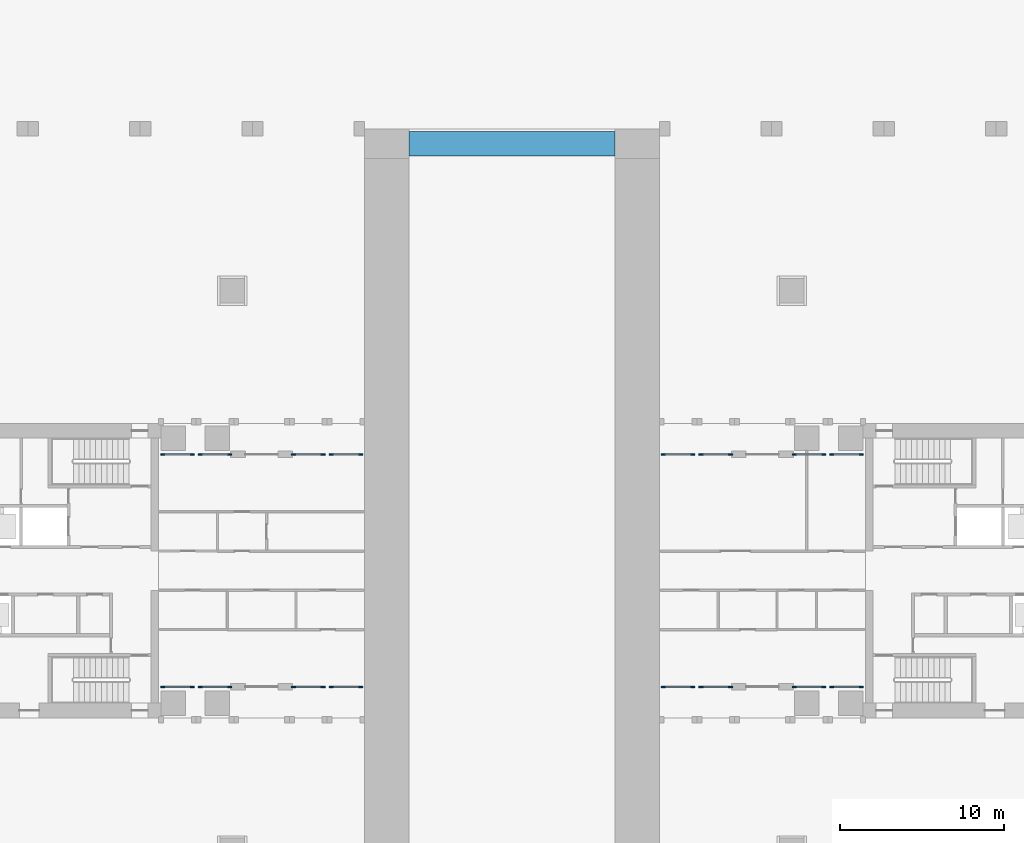
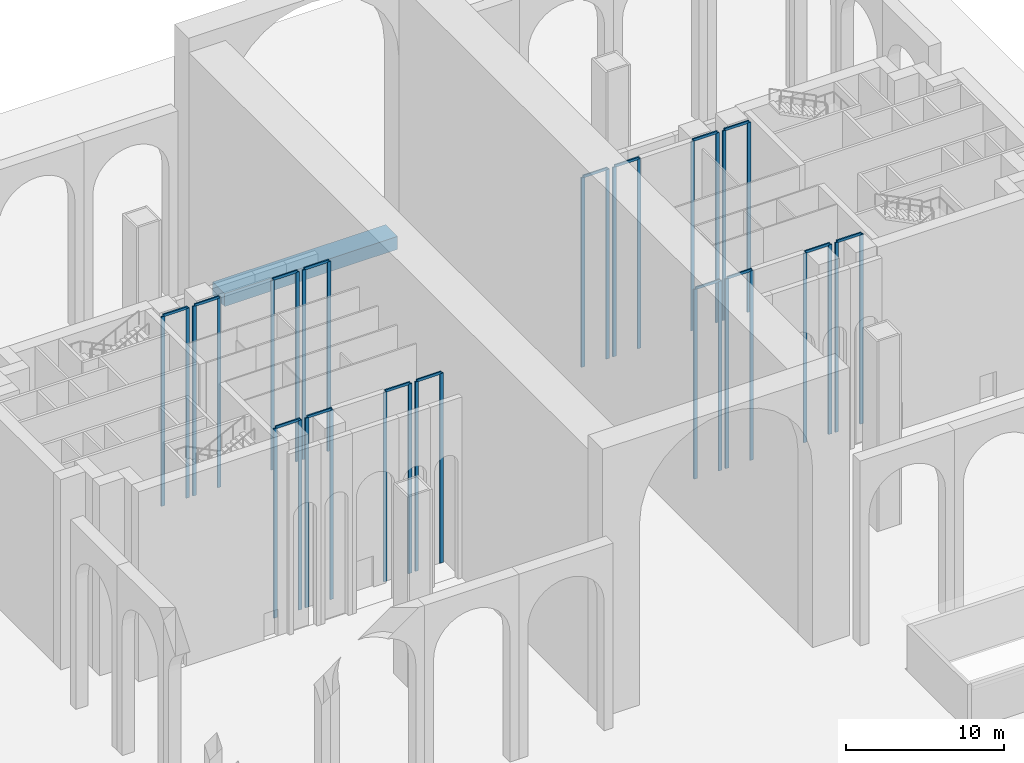
# One storey, part 2 of 18: 48 members, 1 beam, 16 elements without a shape of their own.
"""IFC4 building model written with IfcOpenShell, lengths in metres."""

import ifcopenshell
import ifcopenshell.guid

model = None  # the IFC model being written
_history = None  # IfcOwnerHistory: only IFC2X3 demands one
_inside = {}  # id of a spatial element -> (the spatial element, [elements in it])
_under = {}  # id of a project, library or spatial element -> (it, [spatial elements below it])
_declared = {}  # id of a project -> (the project, [libraries it declares])
_typed = {}  # id of a type object -> (the type object, [elements of that type])
_made_of = {}  # id of a material, layer set ... -> (it, [elements and type objects made of it])


def new_model(schema):
    """Start an empty IFC model of exactly this schema.

    Asked for "IFC4X3", IfcOpenShell would pick the latest addendum, in which some entities
    have other attributes; the version numbers below select the first issue.
    IFC2X3 requires an IfcOwnerHistory on every rooted entity: one is made here for all.
    """
    global model, _history
    if schema == "IFC4X3":
        model = ifcopenshell.file(schema_version=(4, 3, 0, 0))
    else:
        model = ifcopenshell.file(schema=schema)
    _inside.clear()
    _under.clear()
    _declared.clear()
    _typed.clear()
    _made_of.clear()
    _history = None
    if model.schema == "IFC2X3":
        org = make("IfcOrganization", Name="unknown")
        user = make(
            "IfcPersonAndOrganization",
            ThePerson=make("IfcPerson", FamilyName="unknown"),
            TheOrganization=org,
        )
        app = make(
            "IfcApplication",
            ApplicationDeveloper=org,
            Version="unknown",
            ApplicationFullName="unknown",
            ApplicationIdentifier="unknown",
        )
        _history = make(
            "IfcOwnerHistory",
            OwningUser=user,
            OwningApplication=app,
            ChangeAction="ADDED",
            CreationDate=0,
        )
    return model


def make(cls, **values):
    """One entity of the class cls with the attributes given. An attribute that is None is left unset."""
    return model.create_entity(
        cls, **{name: value for name, value in values.items() if value is not None}
    )


def rooted(cls, **values):
    """An entity with a GlobalId (a new one), such as an element, a storey or a relation."""
    return make(cls, GlobalId=ifcopenshell.guid.new(), OwnerHistory=_history, **values)


def si_unit(unit_type, name, prefix=None):
    """IfcSIUnit, for example si_unit("LENGTHUNIT", "METRE", prefix="MILLI")."""
    return make("IfcSIUnit", UnitType=unit_type, Prefix=prefix, Name=name)


def assignment(units):
    """IfcUnitAssignment: the units of a project."""
    return None if units is None else make("IfcUnitAssignment", Units=units)


def point(xyz):
    """IfcCartesianPoint."""
    return None if xyz is None else make("IfcCartesianPoint", Coordinates=xyz)


def direction(xyz):
    """IfcDirection."""
    return None if xyz is None else make("IfcDirection", DirectionRatios=xyz)


def frame(location, z_axis=None, x_axis=None):
    """IfcAxis2Placement3D, a coordinate frame: its origin and axes. An axis left out is left unset."""
    return make(
        "IfcAxis2Placement3D",
        Location=point(location),
        Axis=direction(z_axis),
        RefDirection=direction(x_axis),
    )


def frame_2d(location, x_axis=None):
    """IfcAxis2Placement2D, a coordinate frame in the plane: its origin and x axis."""
    return make(
        "IfcAxis2Placement2D", Location=point(location), RefDirection=direction(x_axis)
    )


def origin():
    """The frame at (0, 0, 0) with its axes left unset."""
    return frame((0.0, 0.0, 0.0))


def origin_2d():
    """The frame at (0, 0) in the plane with its x axis left unset."""
    return frame_2d((0.0, 0.0))


def place(relative_to, where):
    """IfcLocalPlacement: puts the frame where relative to a parent placement (None: the world)."""
    return make(
        "IfcLocalPlacement", PlacementRelTo=relative_to, RelativePlacement=where
    )


def context(
    kind, dimensions, precision=None, world=None, true_north=None, identifier=None
):
    """IfcGeometricRepresentationContext, for example the 3D "Model" context."""
    return make(
        "IfcGeometricRepresentationContext",
        ContextIdentifier=identifier,
        ContextType=kind,
        CoordinateSpaceDimension=dimensions,
        Precision=precision,
        WorldCoordinateSystem=world,
        TrueNorth=true_north,
    )


def subcontext(parent, identifier, kind, view, scale=None):
    """IfcGeometricRepresentationSubContext, for example "Body" below "Model"."""
    return make(
        "IfcGeometricRepresentationSubContext",
        ContextIdentifier=identifier,
        ContextType=kind,
        ParentContext=parent,
        TargetScale=scale,
        TargetView=view,
    )


def project(units=None, contexts=None):
    """IfcProject with its units and contexts."""
    return rooted(
        "IfcProject",
        Name="project",
        RepresentationContexts=contexts,
        UnitsInContext=assignment(units),
    )


def spatial(cls, under=None, at=None, **own):
    """A site, building, storey or space (cls), placed at a placement, below another one or the project."""
    s = rooted(cls, ObjectPlacement=at, **own)
    if under is not None:
        _under.setdefault(under.id(), (under, []))[1].append(s)
    return s


def profile(cls, at=None, kind="AREA", **sizes):
    """A parametric profile (cls). Its sizes go by their IFC names, for example OverallWidth=200.0."""
    return make(cls, ProfileType=kind, Position=at, **sizes)


def rectangle(**sizes):
    """IfcRectangleProfileDef."""
    return profile("IfcRectangleProfileDef", **sizes)


def extrude(swept, where, along, depth):
    """IfcExtrudedAreaSolid: the profile swept, set in the frame where, extruded along a direction by depth."""
    return make(
        "IfcExtrudedAreaSolid",
        SweptArea=swept,
        Position=where,
        ExtrudedDirection=direction(along),
        Depth=depth,
    )


def shape(context_of_items, identifier, shape_type, items):
    """IfcShapeRepresentation: the items that make up one representation, for example the "Body"."""
    return make(
        "IfcShapeRepresentation",
        ContextOfItems=context_of_items,
        RepresentationIdentifier=identifier,
        RepresentationType=shape_type,
        Items=items,
    )


def material(Name=None, Category=None):
    """IfcMaterial."""
    return make("IfcMaterial", Name=Name, Category=Category)


def material_profile(
    of_material, cross_section, Name=None, Category=None, Priority=None
):
    """IfcMaterialProfile: a cross section and its material."""
    return make(
        "IfcMaterialProfile",
        Name=Name,
        Material=of_material,
        Profile=cross_section,
        Priority=Priority,
        Category=Category,
    )


def profile_set(profiles, Name=None, composite=None):
    """IfcMaterialProfileSet."""
    return make(
        "IfcMaterialProfileSet",
        Name=Name,
        MaterialProfiles=profiles,
        CompositeProfile=composite,
    )


def made_of(thing, what):
    """Note that an element or type object is made of a material, layer set ...; save() writes the relation."""
    if what is not None:
        _made_of.setdefault(what.id(), (what, []))[1].append(thing)
    return thing


def type_object(cls, material=None, **own):
    """A type object (cls), such as IfcWallType, which elements share."""
    return made_of(rooted(cls, **own), material)


def element(
    cls,
    number,
    at=None,
    inside=None,
    cuts=None,
    type_object=None,
    material=None,
    context=None,
    identifier="Body",
    shape_type=None,
    held_by="IfcProductDefinitionShape",
    body=None,
    shapes=None,
    **own,
):
    """One element of the class cls, such as IfcWall. Its Tag is "e" and its number.

    at: its placement. inside: the storey or other place that contains it. cuts: it is an
    opening in that element (IfcRelVoidsElement). A single representation is given by context,
    identifier, shape_type and body (its items); several are given by shapes. held_by: the class
    of the entity that holds the representations. save() writes the other relations.
    """
    e = rooted(cls, Tag="e%d" % number, ObjectPlacement=at, **own)
    if body is not None:
        shapes = [shape(context, identifier, shape_type, body)]
    if shapes is not None:
        e.Representation = make(held_by, Representations=shapes)
    if inside is not None:
        _inside.setdefault(inside.id(), (inside, []))[1].append(e)
    if cuts is not None:
        rooted(
            "IfcRelVoidsElement", RelatingBuildingElement=cuts, RelatedOpeningElement=e
        )
    if type_object is not None:
        _typed.setdefault(type_object.id(), (type_object, []))[1].append(e)
    return made_of(e, material)


def aggregate(whole, parts):
    """IfcRelAggregates: a whole, such as a stair, and the parts it consists of."""
    return rooted("IfcRelAggregates", RelatingObject=whole, RelatedObjects=parts)


def save(model, path):
    """Write the relations noted so far, then the file.

    IfcRelAggregates (storeys below a building ...), IfcRelContainedInSpatialStructure (elements
    in a storey), IfcRelDefinesByType, IfcRelAssociatesMaterial and IfcRelDeclares: one each for
    every whole, place, type object, material and project.
    """
    for whole, parts in _under.values():
        aggregate(whole, parts)
    for where, things in _inside.values():
        rooted(
            "IfcRelContainedInSpatialStructure",
            RelatedElements=things,
            RelatingStructure=where,
        )
    for kind, things in _typed.values():
        rooted("IfcRelDefinesByType", RelatedObjects=things, RelatingType=kind)
    for what, things in _made_of.values():
        rooted("IfcRelAssociatesMaterial", RelatedObjects=things, RelatingMaterial=what)
    for by, libraries in _declared.values():
        rooted("IfcRelDeclares", RelatingContext=by, RelatedDefinitions=libraries)
    model.write(path)


model = new_model("IFC4")

# Units and contexts
model_context = context("Model", 3, precision=1e-05, world=origin(), true_north=direction((0.0, 1.0)))
body_context = subcontext(model_context, "Body", "Model", "MODEL_VIEW")
ifc_project = project(units=[si_unit("LENGTHUNIT", "METRE"), si_unit("AREAUNIT", "SQUARE_METRE"), si_unit("VOLUMEUNIT", "CUBIC_METRE"), si_unit("PLANEANGLEUNIT", "RADIAN"), si_unit("MASSUNIT", "GRAM", prefix="KILO")], contexts=[model_context])

# Site, building, storey
site_placement = place(None, origin())
site = spatial("IfcSite", under=ifc_project, at=site_placement, CompositionType="ELEMENT")
building_placement = place(site_placement, origin())
building = spatial("IfcBuilding", under=site, at=building_placement, Name="Perihelion Cross Residences", CompositionType="ELEMENT")
storey_placement = place(building_placement, origin())
storey = spatial("IfcBuildingStorey", under=building, at=storey_placement, Name="L00", CompositionType="ELEMENT", Elevation=0.0)

# Curtain wall, members
ifc_material_1 = material(Name="Bronze anodised aluminium, tinted glazing", Category="aluminium")
curtain_wall_type = type_object("IfcCurtainWallType", Name="CW5", PredefinedType="NOTDEFINED", material=ifc_material_1)
curtain_wall_1_placement = place(storey_placement, origin())
curtain_wall_1 = element("IfcCurtainWall", 1, at=curtain_wall_1_placement, inside=storey, type_object=curtain_wall_type, Name="Curtain wall CW5 L00 arcade east bay 1 glazing no. 1", PredefinedType="NOTDEFINED")
ifc_material_2 = material(Name="Bronze anodised aluminium", Category="aluminium")
ifc_material_profile_1 = material_profile(ifc_material_2, rectangle(XDim=0.10009765625, YDim=0.25, at=origin_2d()), Name="CW5 mullion")
ifc_profile_set_1 = profile_set([ifc_material_profile_1], Name="Bronze anodised aluminium")
member_type_1 = type_object("IfcMemberType", Name="CW5 mullion", PredefinedType="MULLION", material=ifc_profile_set_1)
member_1_placement = place(storey_placement, frame((21.35009765625, 7.10009765625, 0.0), z_axis=(0.0, 0.0, 1.0), x_axis=(0.0, -1.0, 0.0)))
member_1 = element("IfcMember", 2, at=member_1_placement, type_object=member_type_1, Name="CW5 mullion 1", PredefinedType="MULLION", context=body_context, shape_type="SweptSolid", body=[
    extrude(rectangle(XDim=0.10009765625, YDim=0.25, at=origin_2d()), origin(), (0.0, 0.0, 1.0), 14.60009765625),
])
member_2_placement = place(storey_placement, frame((19.550048828125, 7.10009765625, 0.0), z_axis=(0.0, 0.0, 1.0), x_axis=(0.0, -1.0, 0.0)))
member_2 = element("IfcMember", 3, at=member_2_placement, type_object=member_type_1, Name="CW5 mullion 2", PredefinedType="MULLION", context=body_context, shape_type="SweptSolid", body=[
    extrude(rectangle(XDim=0.10009765625, YDim=0.25, at=origin_2d()), origin(), (0.0, 0.0, 1.0), 14.60009765625),
])

curtain_wall_2_placement = place(storey_placement, origin())
curtain_wall_2 = element("IfcCurtainWall", 4, at=curtain_wall_2_placement, inside=storey, type_object=curtain_wall_type, Name="Curtain wall CW5 L00 arcade east bay 2 glazing no. 1", PredefinedType="NOTDEFINED")
member_3_placement = place(storey_placement, frame((19.050048828125, 7.10009765625, 0.0), z_axis=(0.0, 0.0, 1.0), x_axis=(0.0, -1.0, 0.0)))
member_3 = element("IfcMember", 5, at=member_3_placement, type_object=member_type_1, Name="CW5 mullion 1", PredefinedType="MULLION", context=body_context, shape_type="SweptSolid", body=[
    extrude(rectangle(XDim=0.10009765625, YDim=0.25, at=origin_2d()), origin(), (0.0, 0.0, 1.0), 14.60009765625),
])
member_4_placement = place(storey_placement, frame((17.25, 7.10009765625, 0.0), z_axis=(0.0, 0.0, 1.0), x_axis=(0.0, -1.0, 0.0)))
member_4 = element("IfcMember", 6, at=member_4_placement, type_object=member_type_1, Name="CW5 mullion 2", PredefinedType="MULLION", context=body_context, shape_type="SweptSolid", body=[
    extrude(rectangle(XDim=0.10009765625, YDim=0.25, at=origin_2d()), origin(), (0.0, 0.0, 1.0), 14.60009765625),
])

curtain_wall_3_placement = place(storey_placement, origin())
curtain_wall_3 = element("IfcCurtainWall", 7, at=curtain_wall_3_placement, inside=storey, type_object=curtain_wall_type, Name="Curtain wall CW5 L00 arcade east bay 4 glazing no. 1", PredefinedType="NOTDEFINED")
member_5_placement = place(storey_placement, frame((13.35009765625, 7.10009765625, 0.0), z_axis=(0.0, 0.0, 1.0), x_axis=(0.0, -1.0, 0.0)))
member_5 = element("IfcMember", 8, at=member_5_placement, type_object=member_type_1, Name="CW5 mullion 1", PredefinedType="MULLION", context=body_context, shape_type="SweptSolid", body=[
    extrude(rectangle(XDim=0.10009765625, YDim=0.25, at=origin_2d()), origin(), (0.0, 0.0, 1.0), 14.60009765625),
])
member_6_placement = place(storey_placement, frame((11.550048828125, 7.10009765625, 0.0), z_axis=(0.0, 0.0, 1.0), x_axis=(0.0, -1.0, 0.0)))
member_6 = element("IfcMember", 9, at=member_6_placement, type_object=member_type_1, Name="CW5 mullion 2", PredefinedType="MULLION", context=body_context, shape_type="SweptSolid", body=[
    extrude(rectangle(XDim=0.10009765625, YDim=0.25, at=origin_2d()), origin(), (0.0, 0.0, 1.0), 14.60009765625),
])

curtain_wall_4_placement = place(storey_placement, origin())
curtain_wall_4 = element("IfcCurtainWall", 10, at=curtain_wall_4_placement, inside=storey, type_object=curtain_wall_type, Name="Curtain wall CW5 L00 arcade east bay 5 glazing no. 1", PredefinedType="NOTDEFINED")
member_7_placement = place(storey_placement, frame((11.050048828125, 7.10009765625, 0.0), z_axis=(0.0, 0.0, 1.0), x_axis=(0.0, -1.0, 0.0)))
member_7 = element("IfcMember", 11, at=member_7_placement, type_object=member_type_1, Name="CW5 mullion 1", PredefinedType="MULLION", context=body_context, shape_type="SweptSolid", body=[
    extrude(rectangle(XDim=0.10009765625, YDim=0.25, at=origin_2d()), origin(), (0.0, 0.0, 1.0), 14.60009765625),
])
member_8_placement = place(storey_placement, frame((9.25, 7.10009765625, 0.0), z_axis=(0.0, 0.0, 1.0), x_axis=(0.0, -1.0, 0.0)))
member_8 = element("IfcMember", 12, at=member_8_placement, type_object=member_type_1, Name="CW5 mullion 2", PredefinedType="MULLION", context=body_context, shape_type="SweptSolid", body=[
    extrude(rectangle(XDim=0.10009765625, YDim=0.25, at=origin_2d()), origin(), (0.0, 0.0, 1.0), 14.60009765625),
])

curtain_wall_5_placement = place(storey_placement, origin())
curtain_wall_5 = element("IfcCurtainWall", 13, at=curtain_wall_5_placement, inside=storey, type_object=curtain_wall_type, Name="Curtain wall CW5 L00 arcade east bay 1 glazing no. 2", PredefinedType="NOTDEFINED")
member_9_placement = place(storey_placement, frame((9.25, -7.10009765625, 0.0), z_axis=(0.0, 0.0, 1.0), x_axis=(0.0, 1.0, 0.0)))
member_9 = element("IfcMember", 14, at=member_9_placement, type_object=member_type_1, Name="CW5 mullion 1", PredefinedType="MULLION", context=body_context, shape_type="SweptSolid", body=[
    extrude(rectangle(XDim=0.10009765625, YDim=0.25, at=origin_2d()), origin(), (0.0, 0.0, 1.0), 14.60009765625),
])
member_10_placement = place(storey_placement, frame((11.050048828125, -7.10009765625, 0.0), z_axis=(0.0, 0.0, 1.0), x_axis=(0.0, 1.0, 0.0)))
member_10 = element("IfcMember", 15, at=member_10_placement, type_object=member_type_1, Name="CW5 mullion 2", PredefinedType="MULLION", context=body_context, shape_type="SweptSolid", body=[
    extrude(rectangle(XDim=0.10009765625, YDim=0.25, at=origin_2d()), origin(), (0.0, 0.0, 1.0), 14.60009765625),
])

curtain_wall_6_placement = place(storey_placement, origin())
curtain_wall_6 = element("IfcCurtainWall", 16, at=curtain_wall_6_placement, inside=storey, type_object=curtain_wall_type, Name="Curtain wall CW5 L00 arcade east bay 2 glazing no. 2", PredefinedType="NOTDEFINED")
member_11_placement = place(storey_placement, frame((11.550048828125, -7.10009765625, 0.0), z_axis=(0.0, 0.0, 1.0), x_axis=(0.0, 1.0, 0.0)))
member_11 = element("IfcMember", 17, at=member_11_placement, type_object=member_type_1, Name="CW5 mullion 1", PredefinedType="MULLION", context=body_context, shape_type="SweptSolid", body=[
    extrude(rectangle(XDim=0.10009765625, YDim=0.25, at=origin_2d()), origin(), (0.0, 0.0, 1.0), 14.60009765625),
])
member_12_placement = place(storey_placement, frame((13.35009765625, -7.10009765625, 0.0), z_axis=(0.0, 0.0, 1.0), x_axis=(0.0, 1.0, 0.0)))
member_12 = element("IfcMember", 18, at=member_12_placement, type_object=member_type_1, Name="CW5 mullion 2", PredefinedType="MULLION", context=body_context, shape_type="SweptSolid", body=[
    extrude(rectangle(XDim=0.10009765625, YDim=0.25, at=origin_2d()), origin(), (0.0, 0.0, 1.0), 14.60009765625),
])

curtain_wall_7_placement = place(storey_placement, origin())
curtain_wall_7 = element("IfcCurtainWall", 19, at=curtain_wall_7_placement, inside=storey, type_object=curtain_wall_type, Name="Curtain wall CW5 L00 arcade east bay 4 glazing no. 2", PredefinedType="NOTDEFINED")
member_13_placement = place(storey_placement, frame((17.25, -7.10009765625, 0.0), z_axis=(0.0, 0.0, 1.0), x_axis=(0.0, 1.0, 0.0)))
member_13 = element("IfcMember", 20, at=member_13_placement, type_object=member_type_1, Name="CW5 mullion 1", PredefinedType="MULLION", context=body_context, shape_type="SweptSolid", body=[
    extrude(rectangle(XDim=0.10009765625, YDim=0.25, at=origin_2d()), origin(), (0.0, 0.0, 1.0), 14.60009765625),
])
member_14_placement = place(storey_placement, frame((19.050048828125, -7.10009765625, 0.0), z_axis=(0.0, 0.0, 1.0), x_axis=(0.0, 1.0, 0.0)))
member_14 = element("IfcMember", 21, at=member_14_placement, type_object=member_type_1, Name="CW5 mullion 2", PredefinedType="MULLION", context=body_context, shape_type="SweptSolid", body=[
    extrude(rectangle(XDim=0.10009765625, YDim=0.25, at=origin_2d()), origin(), (0.0, 0.0, 1.0), 14.60009765625),
])

curtain_wall_8_placement = place(storey_placement, origin())
curtain_wall_8 = element("IfcCurtainWall", 22, at=curtain_wall_8_placement, inside=storey, type_object=curtain_wall_type, Name="Curtain wall CW5 L00 arcade east bay 5 glazing no. 2", PredefinedType="NOTDEFINED")
member_15_placement = place(storey_placement, frame((19.550048828125, -7.10009765625, 0.0), z_axis=(0.0, 0.0, 1.0), x_axis=(0.0, 1.0, 0.0)))
member_15 = element("IfcMember", 23, at=member_15_placement, type_object=member_type_1, Name="CW5 mullion 1", PredefinedType="MULLION", context=body_context, shape_type="SweptSolid", body=[
    extrude(rectangle(XDim=0.10009765625, YDim=0.25, at=origin_2d()), origin(), (0.0, 0.0, 1.0), 14.60009765625),
])
member_16_placement = place(storey_placement, frame((21.35009765625, -7.10009765625, 0.0), z_axis=(0.0, 0.0, 1.0), x_axis=(0.0, 1.0, 0.0)))
member_16 = element("IfcMember", 24, at=member_16_placement, type_object=member_type_1, Name="CW5 mullion 2", PredefinedType="MULLION", context=body_context, shape_type="SweptSolid", body=[
    extrude(rectangle(XDim=0.10009765625, YDim=0.25, at=origin_2d()), origin(), (0.0, 0.0, 1.0), 14.60009765625),
])

curtain_wall_9_placement = place(storey_placement, origin())
curtain_wall_9 = element("IfcCurtainWall", 25, at=curtain_wall_9_placement, inside=storey, type_object=curtain_wall_type, Name="Curtain wall CW5 L00 arcade west bay 1 glazing no. 1", PredefinedType="NOTDEFINED")
member_17_placement = place(storey_placement, frame((-9.25, 7.10009765625, 0.0), z_axis=(0.0, 0.0, 1.0), x_axis=(0.0, -1.0, 0.0)))
member_17 = element("IfcMember", 26, at=member_17_placement, type_object=member_type_1, Name="CW5 mullion 1", PredefinedType="MULLION", context=body_context, shape_type="SweptSolid", body=[
    extrude(rectangle(XDim=0.10009765625, YDim=0.25, at=origin_2d()), origin(), (0.0, 0.0, 1.0), 14.60009765625),
])
member_18_placement = place(storey_placement, frame((-11.050048828125, 7.10009765625, 0.0), z_axis=(0.0, 0.0, 1.0), x_axis=(0.0, -1.0, 0.0)))
member_18 = element("IfcMember", 27, at=member_18_placement, type_object=member_type_1, Name="CW5 mullion 2", PredefinedType="MULLION", context=body_context, shape_type="SweptSolid", body=[
    extrude(rectangle(XDim=0.10009765625, YDim=0.25, at=origin_2d()), origin(), (0.0, 0.0, 1.0), 14.60009765625),
])

curtain_wall_10_placement = place(storey_placement, origin())
curtain_wall_10 = element("IfcCurtainWall", 28, at=curtain_wall_10_placement, inside=storey, type_object=curtain_wall_type, Name="Curtain wall CW5 L00 arcade west bay 2 glazing no. 1", PredefinedType="NOTDEFINED")
member_19_placement = place(storey_placement, frame((-11.550048828125, 7.10009765625, 0.0), z_axis=(0.0, 0.0, 1.0), x_axis=(0.0, -1.0, 0.0)))
member_19 = element("IfcMember", 29, at=member_19_placement, type_object=member_type_1, Name="CW5 mullion 1", PredefinedType="MULLION", context=body_context, shape_type="SweptSolid", body=[
    extrude(rectangle(XDim=0.10009765625, YDim=0.25, at=origin_2d()), origin(), (0.0, 0.0, 1.0), 14.60009765625),
])
member_20_placement = place(storey_placement, frame((-13.35009765625, 7.10009765625, 0.0), z_axis=(0.0, 0.0, 1.0), x_axis=(0.0, -1.0, 0.0)))
member_20 = element("IfcMember", 30, at=member_20_placement, type_object=member_type_1, Name="CW5 mullion 2", PredefinedType="MULLION", context=body_context, shape_type="SweptSolid", body=[
    extrude(rectangle(XDim=0.10009765625, YDim=0.25, at=origin_2d()), origin(), (0.0, 0.0, 1.0), 14.60009765625),
])

curtain_wall_11_placement = place(storey_placement, origin())
curtain_wall_11 = element("IfcCurtainWall", 31, at=curtain_wall_11_placement, inside=storey, type_object=curtain_wall_type, Name="Curtain wall CW5 L00 arcade west bay 4 glazing no. 1", PredefinedType="NOTDEFINED")
member_21_placement = place(storey_placement, frame((-17.25, 7.10009765625, 0.0), z_axis=(0.0, 0.0, 1.0), x_axis=(0.0, -1.0, 0.0)))
member_21 = element("IfcMember", 32, at=member_21_placement, type_object=member_type_1, Name="CW5 mullion 1", PredefinedType="MULLION", context=body_context, shape_type="SweptSolid", body=[
    extrude(rectangle(XDim=0.10009765625, YDim=0.25, at=origin_2d()), origin(), (0.0, 0.0, 1.0), 14.60009765625),
])
member_22_placement = place(storey_placement, frame((-19.050048828125, 7.10009765625, 0.0), z_axis=(0.0, 0.0, 1.0), x_axis=(0.0, -1.0, 0.0)))
member_22 = element("IfcMember", 33, at=member_22_placement, type_object=member_type_1, Name="CW5 mullion 2", PredefinedType="MULLION", context=body_context, shape_type="SweptSolid", body=[
    extrude(rectangle(XDim=0.10009765625, YDim=0.25, at=origin_2d()), origin(), (0.0, 0.0, 1.0), 14.60009765625),
])

curtain_wall_12_placement = place(storey_placement, origin())
curtain_wall_12 = element("IfcCurtainWall", 34, at=curtain_wall_12_placement, inside=storey, type_object=curtain_wall_type, Name="Curtain wall CW5 L00 arcade west bay 5 glazing no. 1", PredefinedType="NOTDEFINED")
member_23_placement = place(storey_placement, frame((-19.550048828125, 7.10009765625, 0.0), z_axis=(0.0, 0.0, 1.0), x_axis=(0.0, -1.0, 0.0)))
member_23 = element("IfcMember", 35, at=member_23_placement, type_object=member_type_1, Name="CW5 mullion 1", PredefinedType="MULLION", context=body_context, shape_type="SweptSolid", body=[
    extrude(rectangle(XDim=0.10009765625, YDim=0.25, at=origin_2d()), origin(), (0.0, 0.0, 1.0), 14.60009765625),
])
member_24_placement = place(storey_placement, frame((-21.35009765625, 7.10009765625, 0.0), z_axis=(0.0, 0.0, 1.0), x_axis=(0.0, -1.0, 0.0)))
member_24 = element("IfcMember", 36, at=member_24_placement, type_object=member_type_1, Name="CW5 mullion 2", PredefinedType="MULLION", context=body_context, shape_type="SweptSolid", body=[
    extrude(rectangle(XDim=0.10009765625, YDim=0.25, at=origin_2d()), origin(), (0.0, 0.0, 1.0), 14.60009765625),
])

curtain_wall_13_placement = place(storey_placement, origin())
curtain_wall_13 = element("IfcCurtainWall", 37, at=curtain_wall_13_placement, inside=storey, type_object=curtain_wall_type, Name="Curtain wall CW5 L00 arcade west bay 1 glazing no. 2", PredefinedType="NOTDEFINED")
member_25_placement = place(storey_placement, frame((-21.35009765625, -7.10009765625, 0.0), z_axis=(0.0, 0.0, 1.0), x_axis=(0.0, 1.0, 0.0)))
member_25 = element("IfcMember", 38, at=member_25_placement, type_object=member_type_1, Name="CW5 mullion 1", PredefinedType="MULLION", context=body_context, shape_type="SweptSolid", body=[
    extrude(rectangle(XDim=0.10009765625, YDim=0.25, at=origin_2d()), origin(), (0.0, 0.0, 1.0), 14.60009765625),
])
member_26_placement = place(storey_placement, frame((-19.550048828125, -7.10009765625, 0.0), z_axis=(0.0, 0.0, 1.0), x_axis=(0.0, 1.0, 0.0)))
member_26 = element("IfcMember", 39, at=member_26_placement, type_object=member_type_1, Name="CW5 mullion 2", PredefinedType="MULLION", context=body_context, shape_type="SweptSolid", body=[
    extrude(rectangle(XDim=0.10009765625, YDim=0.25, at=origin_2d()), origin(), (0.0, 0.0, 1.0), 14.60009765625),
])

curtain_wall_14_placement = place(storey_placement, origin())
curtain_wall_14 = element("IfcCurtainWall", 40, at=curtain_wall_14_placement, inside=storey, type_object=curtain_wall_type, Name="Curtain wall CW5 L00 arcade west bay 2 glazing no. 2", PredefinedType="NOTDEFINED")
member_27_placement = place(storey_placement, frame((-19.050048828125, -7.10009765625, 0.0), z_axis=(0.0, 0.0, 1.0), x_axis=(0.0, 1.0, 0.0)))
member_27 = element("IfcMember", 41, at=member_27_placement, type_object=member_type_1, Name="CW5 mullion 1", PredefinedType="MULLION", context=body_context, shape_type="SweptSolid", body=[
    extrude(rectangle(XDim=0.10009765625, YDim=0.25, at=origin_2d()), origin(), (0.0, 0.0, 1.0), 14.60009765625),
])
member_28_placement = place(storey_placement, frame((-17.25, -7.10009765625, 0.0), z_axis=(0.0, 0.0, 1.0), x_axis=(0.0, 1.0, 0.0)))
member_28 = element("IfcMember", 42, at=member_28_placement, type_object=member_type_1, Name="CW5 mullion 2", PredefinedType="MULLION", context=body_context, shape_type="SweptSolid", body=[
    extrude(rectangle(XDim=0.10009765625, YDim=0.25, at=origin_2d()), origin(), (0.0, 0.0, 1.0), 14.60009765625),
])

curtain_wall_15_placement = place(storey_placement, origin())
curtain_wall_15 = element("IfcCurtainWall", 43, at=curtain_wall_15_placement, inside=storey, type_object=curtain_wall_type, Name="Curtain wall CW5 L00 arcade west bay 4 glazing no. 2", PredefinedType="NOTDEFINED")
member_29_placement = place(storey_placement, frame((-13.35009765625, -7.10009765625, 0.0), z_axis=(0.0, 0.0, 1.0), x_axis=(0.0, 1.0, 0.0)))
member_29 = element("IfcMember", 44, at=member_29_placement, type_object=member_type_1, Name="CW5 mullion 1", PredefinedType="MULLION", context=body_context, shape_type="SweptSolid", body=[
    extrude(rectangle(XDim=0.10009765625, YDim=0.25, at=origin_2d()), origin(), (0.0, 0.0, 1.0), 14.60009765625),
])
member_30_placement = place(storey_placement, frame((-11.550048828125, -7.10009765625, 0.0), z_axis=(0.0, 0.0, 1.0), x_axis=(0.0, 1.0, 0.0)))
member_30 = element("IfcMember", 45, at=member_30_placement, type_object=member_type_1, Name="CW5 mullion 2", PredefinedType="MULLION", context=body_context, shape_type="SweptSolid", body=[
    extrude(rectangle(XDim=0.10009765625, YDim=0.25, at=origin_2d()), origin(), (0.0, 0.0, 1.0), 14.60009765625),
])

curtain_wall_16_placement = place(storey_placement, origin())
curtain_wall_16 = element("IfcCurtainWall", 46, at=curtain_wall_16_placement, inside=storey, type_object=curtain_wall_type, Name="Curtain wall CW5 L00 arcade west bay 5 glazing no. 2", PredefinedType="NOTDEFINED")
member_31_placement = place(storey_placement, frame((-11.050048828125, -7.10009765625, 0.0), z_axis=(0.0, 0.0, 1.0), x_axis=(0.0, 1.0, 0.0)))
member_31 = element("IfcMember", 47, at=member_31_placement, type_object=member_type_1, Name="CW5 mullion 1", PredefinedType="MULLION", context=body_context, shape_type="SweptSolid", body=[
    extrude(rectangle(XDim=0.10009765625, YDim=0.25, at=origin_2d()), origin(), (0.0, 0.0, 1.0), 14.60009765625),
])
member_32_placement = place(storey_placement, frame((-9.25, -7.10009765625, 0.0), z_axis=(0.0, 0.0, 1.0), x_axis=(0.0, 1.0, 0.0)))
member_32 = element("IfcMember", 48, at=member_32_placement, type_object=member_type_1, Name="CW5 mullion 2", PredefinedType="MULLION", context=body_context, shape_type="SweptSolid", body=[
    extrude(rectangle(XDim=0.10009765625, YDim=0.25, at=origin_2d()), origin(), (0.0, 0.0, 1.0), 14.60009765625),
])

# Member
ifc_material_3 = material(Name="Bronze anodised aluminium", Category="aluminium")
ifc_material_profile_2 = material_profile(ifc_material_3, rectangle(XDim=0.10009765625, YDim=0.199951171875, at=origin_2d()), Name="CW5 transom")
ifc_profile_set_2 = profile_set([ifc_material_profile_2], Name="Bronze anodised aluminium")
member_type_2 = type_object("IfcMemberType", Name="CW5 transom", PredefinedType="USERDEFINED", material=ifc_profile_set_2)
member_33_placement = place(storey_placement, frame((21.35009765625, 7.10009765625, 14.64990234375), z_axis=(-1.0, 0.0, 0.0), x_axis=(0.0, -1.0, 0.0)))
member_33 = element("IfcMember", 49, at=member_33_placement, type_object=member_type_2, Name="CW5 head transom", ObjectType="TRANSOM", PredefinedType="USERDEFINED", context=body_context, shape_type="SweptSolid", body=[
    extrude(rectangle(XDim=0.10009765625, YDim=0.199951171875, at=origin_2d()), origin(), (0.0, 0.0, 1.0), 1.800048828125),
])

aggregate(curtain_wall_1, [member_1, member_2, member_33])

member_34_placement = place(storey_placement, frame((19.050048828125, 7.10009765625, 14.64990234375), z_axis=(-1.0, 0.0, 0.0), x_axis=(0.0, -1.0, 0.0)))
member_34 = element("IfcMember", 50, at=member_34_placement, type_object=member_type_2, Name="CW5 head transom", ObjectType="TRANSOM", PredefinedType="USERDEFINED", context=body_context, shape_type="SweptSolid", body=[
    extrude(rectangle(XDim=0.10009765625, YDim=0.199951171875, at=origin_2d()), origin(), (0.0, 0.0, 1.0), 1.800048828125),
])

aggregate(curtain_wall_2, [member_3, member_4, member_34])

member_35_placement = place(storey_placement, frame((13.35009765625, 7.10009765625, 14.64990234375), z_axis=(-1.0, 0.0, 0.0), x_axis=(0.0, -1.0, 0.0)))
member_35 = element("IfcMember", 51, at=member_35_placement, type_object=member_type_2, Name="CW5 head transom", ObjectType="TRANSOM", PredefinedType="USERDEFINED", context=body_context, shape_type="SweptSolid", body=[
    extrude(rectangle(XDim=0.10009765625, YDim=0.199951171875, at=origin_2d()), origin(), (0.0, 0.0, 1.0), 1.800048828125),
])

aggregate(curtain_wall_3, [member_5, member_6, member_35])

member_36_placement = place(storey_placement, frame((11.050048828125, 7.10009765625, 14.64990234375), z_axis=(-1.0, 0.0, 0.0), x_axis=(0.0, -1.0, 0.0)))
member_36 = element("IfcMember", 52, at=member_36_placement, type_object=member_type_2, Name="CW5 head transom", ObjectType="TRANSOM", PredefinedType="USERDEFINED", context=body_context, shape_type="SweptSolid", body=[
    extrude(rectangle(XDim=0.10009765625, YDim=0.199951171875, at=origin_2d()), origin(), (0.0, 0.0, 1.0), 1.800048828125),
])

aggregate(curtain_wall_4, [member_7, member_8, member_36])

member_37_placement = place(storey_placement, frame((9.25, -7.10009765625, 14.64990234375), z_axis=(1.0, 0.0, 0.0), x_axis=(0.0, 1.0, 0.0)))
member_37 = element("IfcMember", 53, at=member_37_placement, type_object=member_type_2, Name="CW5 head transom", ObjectType="TRANSOM", PredefinedType="USERDEFINED", context=body_context, shape_type="SweptSolid", body=[
    extrude(rectangle(XDim=0.10009765625, YDim=0.199951171875, at=origin_2d()), origin(), (0.0, 0.0, 1.0), 1.800048828125),
])

aggregate(curtain_wall_5, [member_9, member_10, member_37])

member_38_placement = place(storey_placement, frame((11.550048828125, -7.10009765625, 14.64990234375), z_axis=(1.0, 0.0, 0.0), x_axis=(0.0, 1.0, 0.0)))
member_38 = element("IfcMember", 54, at=member_38_placement, type_object=member_type_2, Name="CW5 head transom", ObjectType="TRANSOM", PredefinedType="USERDEFINED", context=body_context, shape_type="SweptSolid", body=[
    extrude(rectangle(XDim=0.10009765625, YDim=0.199951171875, at=origin_2d()), origin(), (0.0, 0.0, 1.0), 1.800048828125),
])

aggregate(curtain_wall_6, [member_11, member_12, member_38])

member_39_placement = place(storey_placement, frame((17.25, -7.10009765625, 14.64990234375), z_axis=(1.0, 0.0, 0.0), x_axis=(0.0, 1.0, 0.0)))
member_39 = element("IfcMember", 55, at=member_39_placement, type_object=member_type_2, Name="CW5 head transom", ObjectType="TRANSOM", PredefinedType="USERDEFINED", context=body_context, shape_type="SweptSolid", body=[
    extrude(rectangle(XDim=0.10009765625, YDim=0.199951171875, at=origin_2d()), origin(), (0.0, 0.0, 1.0), 1.800048828125),
])

aggregate(curtain_wall_7, [member_13, member_14, member_39])

member_40_placement = place(storey_placement, frame((19.550048828125, -7.10009765625, 14.64990234375), z_axis=(1.0, 0.0, 0.0), x_axis=(0.0, 1.0, 0.0)))
member_40 = element("IfcMember", 56, at=member_40_placement, type_object=member_type_2, Name="CW5 head transom", ObjectType="TRANSOM", PredefinedType="USERDEFINED", context=body_context, shape_type="SweptSolid", body=[
    extrude(rectangle(XDim=0.10009765625, YDim=0.199951171875, at=origin_2d()), origin(), (0.0, 0.0, 1.0), 1.800048828125),
])

aggregate(curtain_wall_8, [member_15, member_16, member_40])

member_41_placement = place(storey_placement, frame((-9.25, 7.10009765625, 14.64990234375), z_axis=(-1.0, 0.0, 0.0), x_axis=(0.0, -1.0, 0.0)))
member_41 = element("IfcMember", 57, at=member_41_placement, type_object=member_type_2, Name="CW5 head transom", ObjectType="TRANSOM", PredefinedType="USERDEFINED", context=body_context, shape_type="SweptSolid", body=[
    extrude(rectangle(XDim=0.10009765625, YDim=0.199951171875, at=origin_2d()), origin(), (0.0, 0.0, 1.0), 1.800048828125),
])

aggregate(curtain_wall_9, [member_17, member_18, member_41])

member_42_placement = place(storey_placement, frame((-11.550048828125, 7.10009765625, 14.64990234375), z_axis=(-1.0, 0.0, 0.0), x_axis=(0.0, -1.0, 0.0)))
member_42 = element("IfcMember", 58, at=member_42_placement, type_object=member_type_2, Name="CW5 head transom", ObjectType="TRANSOM", PredefinedType="USERDEFINED", context=body_context, shape_type="SweptSolid", body=[
    extrude(rectangle(XDim=0.10009765625, YDim=0.199951171875, at=origin_2d()), origin(), (0.0, 0.0, 1.0), 1.800048828125),
])

aggregate(curtain_wall_10, [member_19, member_20, member_42])

member_43_placement = place(storey_placement, frame((-17.25, 7.10009765625, 14.64990234375), z_axis=(-1.0, 0.0, 0.0), x_axis=(0.0, -1.0, 0.0)))
member_43 = element("IfcMember", 59, at=member_43_placement, type_object=member_type_2, Name="CW5 head transom", ObjectType="TRANSOM", PredefinedType="USERDEFINED", context=body_context, shape_type="SweptSolid", body=[
    extrude(rectangle(XDim=0.10009765625, YDim=0.199951171875, at=origin_2d()), origin(), (0.0, 0.0, 1.0), 1.800048828125),
])

aggregate(curtain_wall_11, [member_21, member_22, member_43])

member_44_placement = place(storey_placement, frame((-19.550048828125, 7.10009765625, 14.64990234375), z_axis=(-1.0, 0.0, 0.0), x_axis=(0.0, -1.0, 0.0)))
member_44 = element("IfcMember", 60, at=member_44_placement, type_object=member_type_2, Name="CW5 head transom", ObjectType="TRANSOM", PredefinedType="USERDEFINED", context=body_context, shape_type="SweptSolid", body=[
    extrude(rectangle(XDim=0.10009765625, YDim=0.199951171875, at=origin_2d()), origin(), (0.0, 0.0, 1.0), 1.800048828125),
])

aggregate(curtain_wall_12, [member_23, member_24, member_44])

member_45_placement = place(storey_placement, frame((-21.35009765625, -7.10009765625, 14.64990234375), z_axis=(1.0, 0.0, 0.0), x_axis=(0.0, 1.0, 0.0)))
member_45 = element("IfcMember", 61, at=member_45_placement, type_object=member_type_2, Name="CW5 head transom", ObjectType="TRANSOM", PredefinedType="USERDEFINED", context=body_context, shape_type="SweptSolid", body=[
    extrude(rectangle(XDim=0.10009765625, YDim=0.199951171875, at=origin_2d()), origin(), (0.0, 0.0, 1.0), 1.800048828125),
])

aggregate(curtain_wall_13, [member_25, member_26, member_45])

member_46_placement = place(storey_placement, frame((-19.050048828125, -7.10009765625, 14.64990234375), z_axis=(1.0, 0.0, 0.0), x_axis=(0.0, 1.0, 0.0)))
member_46 = element("IfcMember", 62, at=member_46_placement, type_object=member_type_2, Name="CW5 head transom", ObjectType="TRANSOM", PredefinedType="USERDEFINED", context=body_context, shape_type="SweptSolid", body=[
    extrude(rectangle(XDim=0.10009765625, YDim=0.199951171875, at=origin_2d()), origin(), (0.0, 0.0, 1.0), 1.800048828125),
])

aggregate(curtain_wall_14, [member_27, member_28, member_46])

member_47_placement = place(storey_placement, frame((-13.35009765625, -7.10009765625, 14.64990234375), z_axis=(1.0, 0.0, 0.0), x_axis=(0.0, 1.0, 0.0)))
member_47 = element("IfcMember", 63, at=member_47_placement, type_object=member_type_2, Name="CW5 head transom", ObjectType="TRANSOM", PredefinedType="USERDEFINED", context=body_context, shape_type="SweptSolid", body=[
    extrude(rectangle(XDim=0.10009765625, YDim=0.199951171875, at=origin_2d()), origin(), (0.0, 0.0, 1.0), 1.800048828125),
])

aggregate(curtain_wall_15, [member_29, member_30, member_47])

member_48_placement = place(storey_placement, frame((-11.050048828125, -7.10009765625, 14.64990234375), z_axis=(1.0, 0.0, 0.0), x_axis=(0.0, 1.0, 0.0)))
member_48 = element("IfcMember", 64, at=member_48_placement, type_object=member_type_2, Name="CW5 head transom", ObjectType="TRANSOM", PredefinedType="USERDEFINED", context=body_context, shape_type="SweptSolid", body=[
    extrude(rectangle(XDim=0.10009765625, YDim=0.199951171875, at=origin_2d()), origin(), (0.0, 0.0, 1.0), 1.800048828125),
])

aggregate(curtain_wall_16, [member_31, member_32, member_48])

# Beam
ifc_material_4 = material(Name="Concrete C60/75", Category="concrete")
ifc_material_profile_3 = material_profile(ifc_material_4, rectangle(XDim=1.5, YDim=1.0, at=origin_2d()), Name="RC 1500x1000")
ifc_profile_set_3 = profile_set([ifc_material_profile_3], Name="Concrete C60/75")
beam_type = type_object("IfcBeamType", Name="Portal threshold beam 1500x1000 concrete C60/75", PredefinedType="BEAM", material=ifc_profile_set_3)
beam_placement = place(storey_placement, frame((-6.300048828125, 26.10009765625, -0.5), z_axis=(1.0, 0.0, 0.0), x_axis=(0.0, 1.0, 0.0)))
element("IfcBeam", 65, at=beam_placement, inside=storey, type_object=beam_type, Name="Beam TH1 L00 portal sill north", PredefinedType="BEAM", context=body_context, shape_type="SweptSolid", body=[
    extrude(rectangle(XDim=1.5, YDim=1.0, at=origin_2d()), origin(), (0.0, 0.0, 1.0), 12.60009765625),
])

save(model, "model.ifc")
